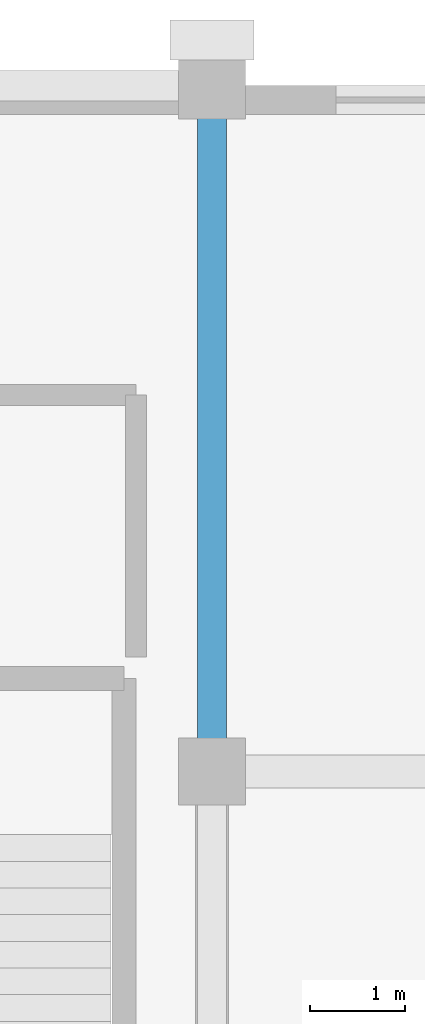
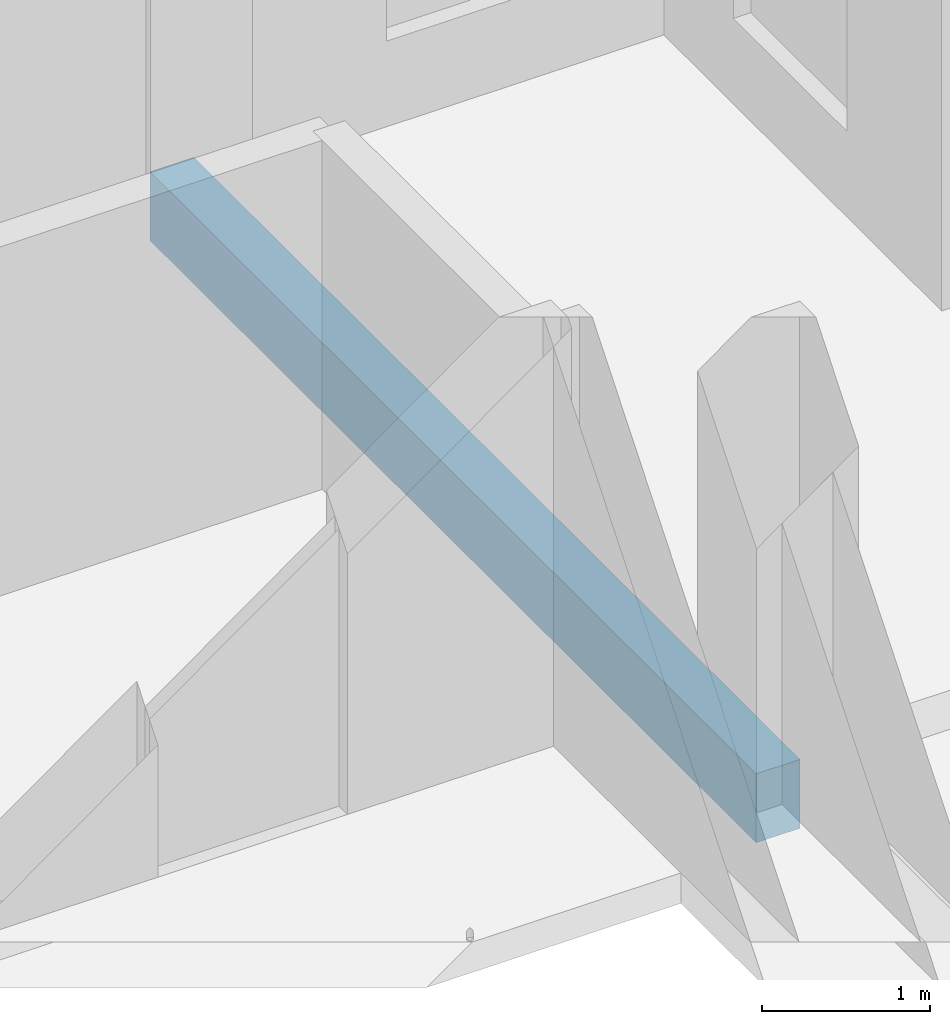
# One storey, part 14 of 24: 1 beam.
"""IFC4 building model written with IfcOpenShell, lengths in metres."""

from ifc_helpers import new_model, si_unit, direction, frame, origin, origin_2d, place, context, subcontext, project, spatial, rectangle, extrude, material, material_profile, profile_set, type_object, element, save


model = new_model("IFC4")

# Units and contexts
model_context = context("Model", 3, precision=1e-05, world=origin(), true_north=direction((0.0, 1.0)))
body_context = subcontext(model_context, "Body", "Model", "MODEL_VIEW")
ifc_project = project(units=[si_unit("LENGTHUNIT", "METRE"), si_unit("AREAUNIT", "SQUARE_METRE"), si_unit("VOLUMEUNIT", "CUBIC_METRE"), si_unit("PLANEANGLEUNIT", "RADIAN"), si_unit("MASSUNIT", "GRAM", prefix="KILO")], contexts=[model_context])

# Site, building, storey
site_placement = place(None, origin())
site = spatial("IfcSite", under=ifc_project, at=site_placement, CompositionType="ELEMENT")
building_placement = place(site_placement, origin())
building = spatial("IfcBuilding", under=site, at=building_placement, Name="Akrevak Sports Hall", CompositionType="ELEMENT")
storey_placement = place(building_placement, frame((0.0, 0.0, 56.800048828125)))
storey = spatial("IfcBuildingStorey", under=building, at=storey_placement, Name="L14", CompositionType="ELEMENT", Elevation=56.800048828125)

# Beam
ifc_material = material(Name="Concrete C40/50", Category="concrete")
ifc_material_profile = material_profile(ifc_material, rectangle(XDim=0.300048828125, YDim=0.5, at=origin_2d()), Name="BM 300x500", Category="concrete")
ifc_profile_set = profile_set([ifc_material_profile], Name="Concrete C40/50")
beam_type = type_object("IfcBeamType", Name="STR-BM-RC300x500", PredefinedType="BEAM", material=ifc_profile_set)
beam_placement = place(storey_placement, frame((100.0, 62.39990234375, -0.25), z_axis=(0.0, 1.0, 0.0), x_axis=(-1.0, 0.0, 0.0)))
element("IfcBeam", 1, at=beam_placement, inside=storey, type_object=beam_type, Name="Girder 14/J-K (L14)", PredefinedType="BEAM", context=body_context, shape_type="SweptSolid", body=[
    extrude(rectangle(XDim=0.300048828125, YDim=0.5, at=origin_2d()), origin(), (0.0, 0.0, 1.0), 7.2001953125),
])

save(model, "model.ifc")
